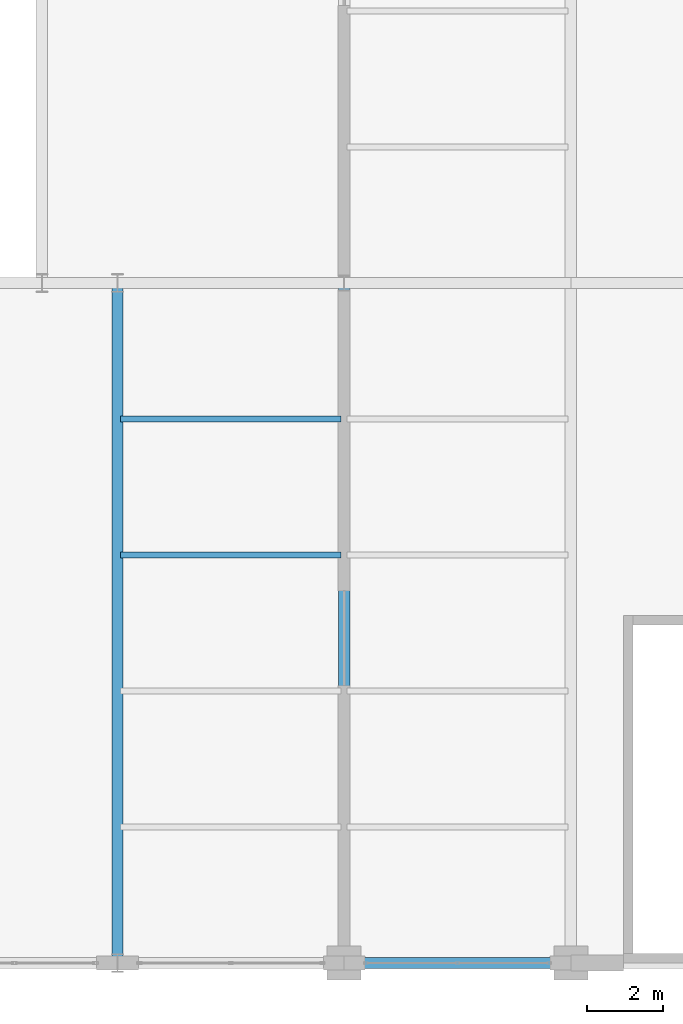
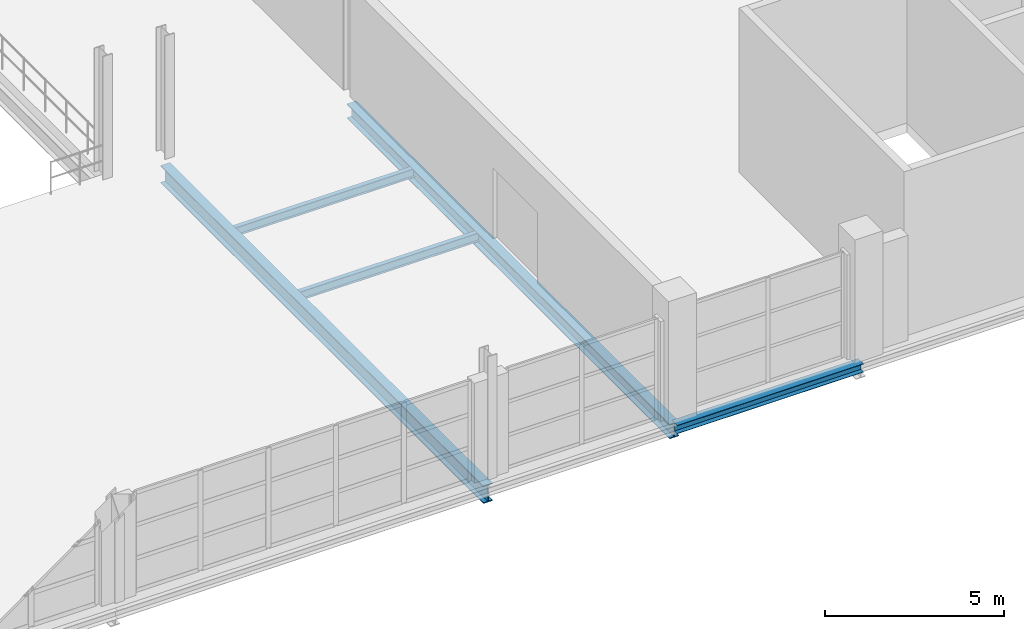
# One storey, part 41 of 158: 5 beams.
"""IFC4 building model written with IfcOpenShell, lengths in metres."""

import ifcopenshell
import ifcopenshell.guid

model = None  # the IFC model being written
_history = None  # IfcOwnerHistory: only IFC2X3 demands one
_inside = {}  # id of a spatial element -> (the spatial element, [elements in it])
_under = {}  # id of a project, library or spatial element -> (it, [spatial elements below it])
_declared = {}  # id of a project -> (the project, [libraries it declares])
_typed = {}  # id of a type object -> (the type object, [elements of that type])
_made_of = {}  # id of a material, layer set ... -> (it, [elements and type objects made of it])


def new_model(schema):
    """Start an empty IFC model of exactly this schema.

    Asked for "IFC4X3", IfcOpenShell would pick the latest addendum, in which some entities
    have other attributes; the version numbers below select the first issue.
    IFC2X3 requires an IfcOwnerHistory on every rooted entity: one is made here for all.
    """
    global model, _history
    if schema == "IFC4X3":
        model = ifcopenshell.file(schema_version=(4, 3, 0, 0))
    else:
        model = ifcopenshell.file(schema=schema)
    _inside.clear()
    _under.clear()
    _declared.clear()
    _typed.clear()
    _made_of.clear()
    _history = None
    if model.schema == "IFC2X3":
        org = make("IfcOrganization", Name="unknown")
        user = make(
            "IfcPersonAndOrganization",
            ThePerson=make("IfcPerson", FamilyName="unknown"),
            TheOrganization=org,
        )
        app = make(
            "IfcApplication",
            ApplicationDeveloper=org,
            Version="unknown",
            ApplicationFullName="unknown",
            ApplicationIdentifier="unknown",
        )
        _history = make(
            "IfcOwnerHistory",
            OwningUser=user,
            OwningApplication=app,
            ChangeAction="ADDED",
            CreationDate=0,
        )
    return model


def make(cls, **values):
    """One entity of the class cls with the attributes given. An attribute that is None is left unset."""
    return model.create_entity(
        cls, **{name: value for name, value in values.items() if value is not None}
    )


def rooted(cls, **values):
    """An entity with a GlobalId (a new one), such as an element, a storey or a relation."""
    return make(cls, GlobalId=ifcopenshell.guid.new(), OwnerHistory=_history, **values)


def si_unit(unit_type, name, prefix=None):
    """IfcSIUnit, for example si_unit("LENGTHUNIT", "METRE", prefix="MILLI")."""
    return make("IfcSIUnit", UnitType=unit_type, Prefix=prefix, Name=name)


def assignment(units):
    """IfcUnitAssignment: the units of a project."""
    return None if units is None else make("IfcUnitAssignment", Units=units)


def point(xyz):
    """IfcCartesianPoint."""
    return None if xyz is None else make("IfcCartesianPoint", Coordinates=xyz)


def direction(xyz):
    """IfcDirection."""
    return None if xyz is None else make("IfcDirection", DirectionRatios=xyz)


def frame(location, z_axis=None, x_axis=None):
    """IfcAxis2Placement3D, a coordinate frame: its origin and axes. An axis left out is left unset."""
    return make(
        "IfcAxis2Placement3D",
        Location=point(location),
        Axis=direction(z_axis),
        RefDirection=direction(x_axis),
    )


def frame_2d(location, x_axis=None):
    """IfcAxis2Placement2D, a coordinate frame in the plane: its origin and x axis."""
    return make(
        "IfcAxis2Placement2D", Location=point(location), RefDirection=direction(x_axis)
    )


def origin():
    """The frame at (0, 0, 0) with its axes left unset."""
    return frame((0.0, 0.0, 0.0))


def origin_2d():
    """The frame at (0, 0) in the plane with its x axis left unset."""
    return frame_2d((0.0, 0.0))


def place(relative_to, where):
    """IfcLocalPlacement: puts the frame where relative to a parent placement (None: the world)."""
    return make(
        "IfcLocalPlacement", PlacementRelTo=relative_to, RelativePlacement=where
    )


def context(
    kind, dimensions, precision=None, world=None, true_north=None, identifier=None
):
    """IfcGeometricRepresentationContext, for example the 3D "Model" context."""
    return make(
        "IfcGeometricRepresentationContext",
        ContextIdentifier=identifier,
        ContextType=kind,
        CoordinateSpaceDimension=dimensions,
        Precision=precision,
        WorldCoordinateSystem=world,
        TrueNorth=true_north,
    )


def subcontext(parent, identifier, kind, view, scale=None):
    """IfcGeometricRepresentationSubContext, for example "Body" below "Model"."""
    return make(
        "IfcGeometricRepresentationSubContext",
        ContextIdentifier=identifier,
        ContextType=kind,
        ParentContext=parent,
        TargetScale=scale,
        TargetView=view,
    )


def project(units=None, contexts=None):
    """IfcProject with its units and contexts."""
    return rooted(
        "IfcProject",
        Name="project",
        RepresentationContexts=contexts,
        UnitsInContext=assignment(units),
    )


def spatial(cls, under=None, at=None, **own):
    """A site, building, storey or space (cls), placed at a placement, below another one or the project."""
    s = rooted(cls, ObjectPlacement=at, **own)
    if under is not None:
        _under.setdefault(under.id(), (under, []))[1].append(s)
    return s


def profile(cls, at=None, kind="AREA", **sizes):
    """A parametric profile (cls). Its sizes go by their IFC names, for example OverallWidth=200.0."""
    return make(cls, ProfileType=kind, Position=at, **sizes)


def i_section(**sizes):
    """IfcIShapeProfileDef."""
    return profile("IfcIShapeProfileDef", **sizes)


def extrude(swept, where, along, depth):
    """IfcExtrudedAreaSolid: the profile swept, set in the frame where, extruded along a direction by depth."""
    return make(
        "IfcExtrudedAreaSolid",
        SweptArea=swept,
        Position=where,
        ExtrudedDirection=direction(along),
        Depth=depth,
    )


def shape(context_of_items, identifier, shape_type, items):
    """IfcShapeRepresentation: the items that make up one representation, for example the "Body"."""
    return make(
        "IfcShapeRepresentation",
        ContextOfItems=context_of_items,
        RepresentationIdentifier=identifier,
        RepresentationType=shape_type,
        Items=items,
    )


def material(Name=None, Category=None):
    """IfcMaterial."""
    return make("IfcMaterial", Name=Name, Category=Category)


def material_profile(
    of_material, cross_section, Name=None, Category=None, Priority=None
):
    """IfcMaterialProfile: a cross section and its material."""
    return make(
        "IfcMaterialProfile",
        Name=Name,
        Material=of_material,
        Profile=cross_section,
        Priority=Priority,
        Category=Category,
    )


def profile_set(profiles, Name=None, composite=None):
    """IfcMaterialProfileSet."""
    return make(
        "IfcMaterialProfileSet",
        Name=Name,
        MaterialProfiles=profiles,
        CompositeProfile=composite,
    )


def made_of(thing, what):
    """Note that an element or type object is made of a material, layer set ...; save() writes the relation."""
    if what is not None:
        _made_of.setdefault(what.id(), (what, []))[1].append(thing)
    return thing


def type_object(cls, material=None, **own):
    """A type object (cls), such as IfcWallType, which elements share."""
    return made_of(rooted(cls, **own), material)


def element(
    cls,
    number,
    at=None,
    inside=None,
    cuts=None,
    type_object=None,
    material=None,
    context=None,
    identifier="Body",
    shape_type=None,
    held_by="IfcProductDefinitionShape",
    body=None,
    shapes=None,
    **own,
):
    """One element of the class cls, such as IfcWall. Its Tag is "e" and its number.

    at: its placement. inside: the storey or other place that contains it. cuts: it is an
    opening in that element (IfcRelVoidsElement). A single representation is given by context,
    identifier, shape_type and body (its items); several are given by shapes. held_by: the class
    of the entity that holds the representations. save() writes the other relations.
    """
    e = rooted(cls, Tag="e%d" % number, ObjectPlacement=at, **own)
    if body is not None:
        shapes = [shape(context, identifier, shape_type, body)]
    if shapes is not None:
        e.Representation = make(held_by, Representations=shapes)
    if inside is not None:
        _inside.setdefault(inside.id(), (inside, []))[1].append(e)
    if cuts is not None:
        rooted(
            "IfcRelVoidsElement", RelatingBuildingElement=cuts, RelatedOpeningElement=e
        )
    if type_object is not None:
        _typed.setdefault(type_object.id(), (type_object, []))[1].append(e)
    return made_of(e, material)


def aggregate(whole, parts):
    """IfcRelAggregates: a whole, such as a stair, and the parts it consists of."""
    return rooted("IfcRelAggregates", RelatingObject=whole, RelatedObjects=parts)


def save(model, path):
    """Write the relations noted so far, then the file.

    IfcRelAggregates (storeys below a building ...), IfcRelContainedInSpatialStructure (elements
    in a storey), IfcRelDefinesByType, IfcRelAssociatesMaterial and IfcRelDeclares: one each for
    every whole, place, type object, material and project.
    """
    for whole, parts in _under.values():
        aggregate(whole, parts)
    for where, things in _inside.values():
        rooted(
            "IfcRelContainedInSpatialStructure",
            RelatedElements=things,
            RelatingStructure=where,
        )
    for kind, things in _typed.values():
        rooted("IfcRelDefinesByType", RelatedObjects=things, RelatingType=kind)
    for what, things in _made_of.values():
        rooted("IfcRelAssociatesMaterial", RelatedObjects=things, RelatingMaterial=what)
    for by, libraries in _declared.values():
        rooted("IfcRelDeclares", RelatingContext=by, RelatedDefinitions=libraries)
    model.write(path)


model = new_model("IFC4")

# Units and contexts
model_context = context("Model", 3, precision=1e-05, world=origin(), true_north=direction((0.0, 1.0)))
body_context = subcontext(model_context, "Body", "Model", "MODEL_VIEW")
ifc_project = project(units=[si_unit("LENGTHUNIT", "METRE"), si_unit("AREAUNIT", "SQUARE_METRE"), si_unit("VOLUMEUNIT", "CUBIC_METRE"), si_unit("PLANEANGLEUNIT", "RADIAN"), si_unit("MASSUNIT", "GRAM", prefix="KILO")], contexts=[model_context])

# Site, building, storey
site_placement = place(None, origin())
site = spatial("IfcSite", under=ifc_project, at=site_placement, CompositionType="ELEMENT")
building_placement = place(site_placement, origin())
building = spatial("IfcBuilding", under=site, at=building_placement, Name="Zilviju Railside Exhibition Hall", CompositionType="ELEMENT")
storey_placement = place(building_placement, frame((0.0, 0.0, 4.199951171875)))
storey = spatial("IfcBuildingStorey", under=building, at=storey_placement, Name="L02", CompositionType="ELEMENT", Elevation=4.199951171875)

# Beams
ifc_material = material(Name="Steel S355J2", Category="steel")
ifc_material_profile_1 = material_profile(ifc_material, i_section(OverallWidth=0.300048828125, OverallDepth=0.2900390625, WebThickness=0.008544921875, FlangeThickness=0.013916015625, at=origin_2d()), Name="HEA 300")
ifc_profile_set_1 = profile_set([ifc_material_profile_1], Name="Steel S355J2")
beam_type_1 = type_object("IfcBeamType", Name="BM-HEA300", PredefinedType="SPANDREL", material=ifc_profile_set_1)
beam_1_placement = place(storey_placement, frame((78.0, 0.0, -0.494873046875), z_axis=(1.0, 0.0, 0.0), x_axis=(0.0, 1.0, 0.0)))
element("IfcBeam", 1, at=beam_1_placement, inside=storey, type_object=beam_type_1, Name="Primary Girder L02 Y=0.0 (78.0..84.0)", PredefinedType="SPANDREL", context=body_context, shape_type="SweptSolid", body=[
    extrude(i_section(OverallWidth=0.300048828125, OverallDepth=0.2900390625, WebThickness=0.008544921875, FlangeThickness=0.013916015625, at=origin_2d()), origin(), (0.0, 0.0, 1.0), 6.0),
])
ifc_material_profile_2 = material_profile(ifc_material, i_section(OverallWidth=0.300048828125, OverallDepth=0.5, WebThickness=0.014404296875, FlangeThickness=0.028076171875, at=origin_2d()), Name="HEB 500")
ifc_profile_set_2 = profile_set([ifc_material_profile_2], Name="Steel S355J2")
beam_type_2 = type_object("IfcBeamType", Name="BM-HEB500", PredefinedType="BEAM", material=ifc_profile_set_2)
beam_2_placement = place(storey_placement, frame((78.0, 0.0, -0.599853515625), z_axis=(0.0, 1.0, 0.0), x_axis=(-1.0, 0.0, 0.0)))
element("IfcBeam", 2, at=beam_2_placement, inside=storey, type_object=beam_type_2, Name="Transverse Girder L02 X=78.0 (0.0..18.0)", PredefinedType="BEAM", context=body_context, shape_type="SweptSolid", body=[
    extrude(i_section(OverallWidth=0.300048828125, OverallDepth=0.5, WebThickness=0.014404296875, FlangeThickness=0.028076171875, at=origin_2d()), origin(), (0.0, 0.0, 1.0), 18.0),
])
ifc_material_profile_3 = material_profile(ifc_material, i_section(OverallWidth=0.300048828125, OverallDepth=0.60009765625, WebThickness=0.015380859375, FlangeThickness=0.030029296875, at=origin_2d()), Name="HEB 600")
ifc_profile_set_3 = profile_set([ifc_material_profile_3], Name="Steel S355J2")
beam_type_3 = type_object("IfcBeamType", Name="BM-HEB600", PredefinedType="BEAM", material=ifc_profile_set_3)
beam_3_placement = place(storey_placement, frame((72.0, 0.0, -0.64990234375), z_axis=(0.0, 1.0, 0.0), x_axis=(-1.0, 0.0, 0.0)))
element("IfcBeam", 3, at=beam_3_placement, inside=storey, type_object=beam_type_3, Name="Transverse Girder L02 X=72.0 (0.0..18.0)", PredefinedType="BEAM", context=body_context, shape_type="SweptSolid", body=[
    extrude(i_section(OverallWidth=0.300048828125, OverallDepth=0.60009765625, WebThickness=0.015380859375, FlangeThickness=0.030029296875, at=origin_2d()), origin(), (0.0, 0.0, 1.0), 18.0),
])
ifc_material_profile_4 = material_profile(ifc_material, i_section(OverallWidth=0.14990234375, OverallDepth=0.300048828125, WebThickness=0.007080078125, FlangeThickness=0.0107421875, at=origin_2d()), Name="IPE 300")
ifc_profile_set_4 = profile_set([ifc_material_profile_4], Name="Steel S355J2")
beam_type_4 = type_object("IfcBeamType", Name="BM-IPE300", PredefinedType="JOIST", material=ifc_profile_set_4)
for number, where, z_axis, x_axis, name in (
    (4, (72.080078125, 10.800048828125, -0.5), (1.0, 0.0, 0.0), (0.0, 1.0, 0.0), "Composite Floor Joist L02 Y=10.80 (72.0..78.0)"),
    (5, (72.080078125, 14.39990234375, -0.5), (1.0, 0.0, 0.0), (0.0, 1.0, 0.0), "Composite Floor Joist L02 Y=14.40 (72.0..78.0)"),
):
    element("IfcBeam", number, at=place(storey_placement, frame(where, z_axis=z_axis, x_axis=x_axis)), inside=storey, type_object=beam_type_4, Name=name, PredefinedType="JOIST", context=body_context, shape_type="SweptSolid", body=[
        extrude(i_section(OverallWidth=0.14990234375, OverallDepth=0.300048828125, WebThickness=0.007080078125, FlangeThickness=0.0107421875, at=origin_2d()), origin(), (0.0, 0.0, 1.0), 5.83984375),
    ])

save(model, "model.ifc")
